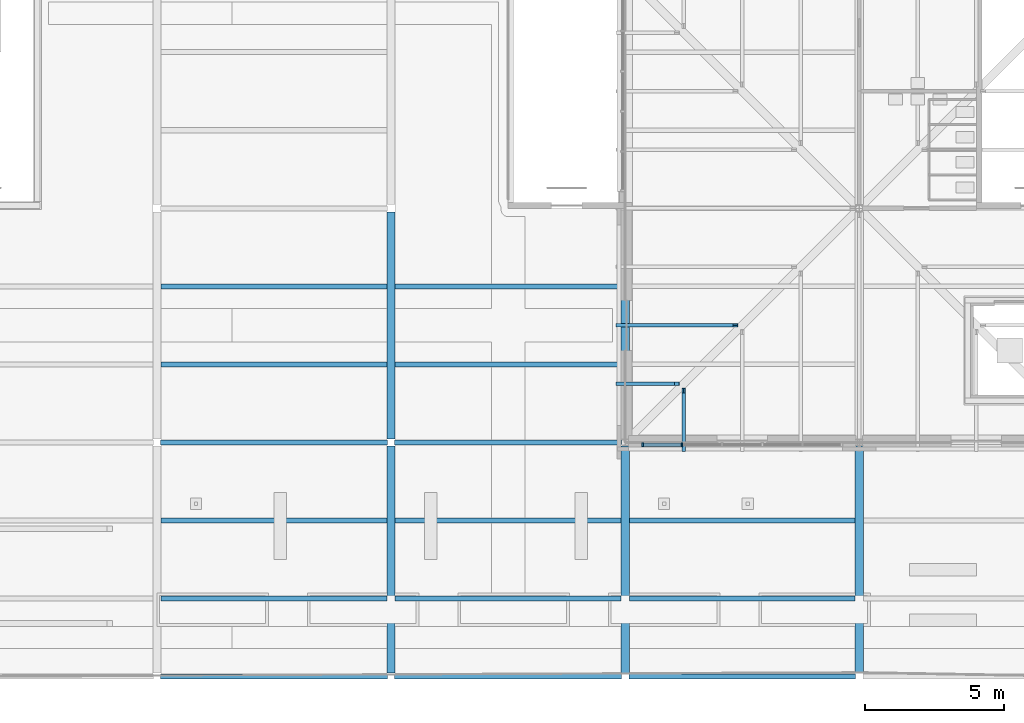
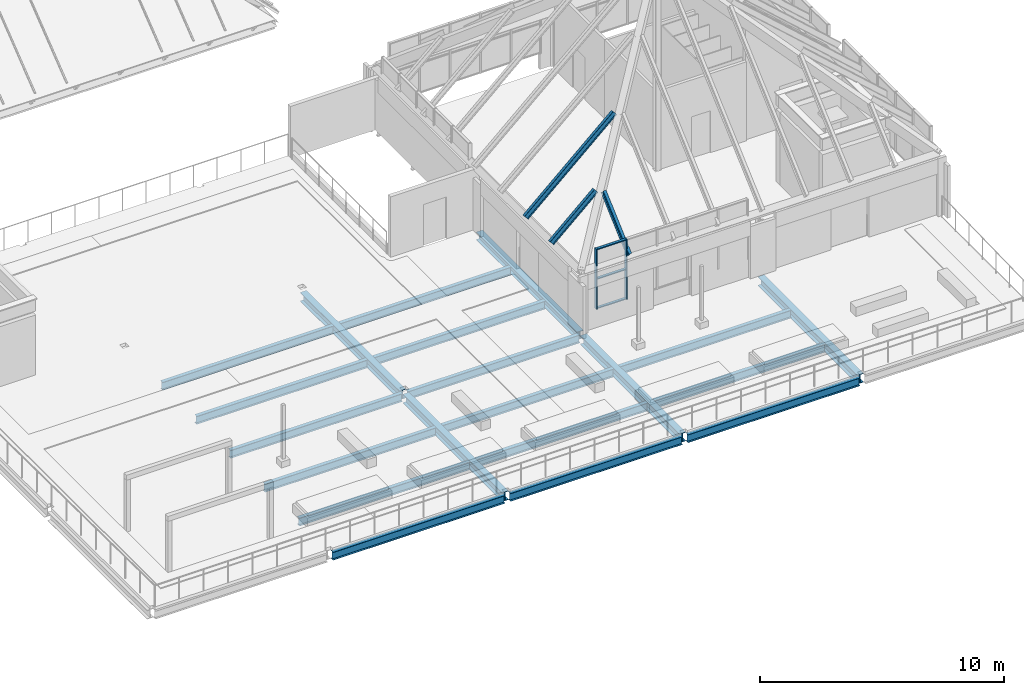
# One storey, part 34 of 126: 20 beams, 8 members, 1 element without a shape of its own.
"""IFC4 building model written with IfcOpenShell, lengths in metres."""

import ifcopenshell
import ifcopenshell.guid

model = None  # the IFC model being written
_history = None  # IfcOwnerHistory: only IFC2X3 demands one
_inside = {}  # id of a spatial element -> (the spatial element, [elements in it])
_under = {}  # id of a project, library or spatial element -> (it, [spatial elements below it])
_declared = {}  # id of a project -> (the project, [libraries it declares])
_typed = {}  # id of a type object -> (the type object, [elements of that type])
_made_of = {}  # id of a material, layer set ... -> (it, [elements and type objects made of it])


def new_model(schema):
    """Start an empty IFC model of exactly this schema.

    Asked for "IFC4X3", IfcOpenShell would pick the latest addendum, in which some entities
    have other attributes; the version numbers below select the first issue.
    IFC2X3 requires an IfcOwnerHistory on every rooted entity: one is made here for all.
    """
    global model, _history
    if schema == "IFC4X3":
        model = ifcopenshell.file(schema_version=(4, 3, 0, 0))
    else:
        model = ifcopenshell.file(schema=schema)
    _inside.clear()
    _under.clear()
    _declared.clear()
    _typed.clear()
    _made_of.clear()
    _history = None
    if model.schema == "IFC2X3":
        org = make("IfcOrganization", Name="unknown")
        user = make(
            "IfcPersonAndOrganization",
            ThePerson=make("IfcPerson", FamilyName="unknown"),
            TheOrganization=org,
        )
        app = make(
            "IfcApplication",
            ApplicationDeveloper=org,
            Version="unknown",
            ApplicationFullName="unknown",
            ApplicationIdentifier="unknown",
        )
        _history = make(
            "IfcOwnerHistory",
            OwningUser=user,
            OwningApplication=app,
            ChangeAction="ADDED",
            CreationDate=0,
        )
    return model


def make(cls, **values):
    """One entity of the class cls with the attributes given. An attribute that is None is left unset."""
    return model.create_entity(
        cls, **{name: value for name, value in values.items() if value is not None}
    )


def rooted(cls, **values):
    """An entity with a GlobalId (a new one), such as an element, a storey or a relation."""
    return make(cls, GlobalId=ifcopenshell.guid.new(), OwnerHistory=_history, **values)


def si_unit(unit_type, name, prefix=None):
    """IfcSIUnit, for example si_unit("LENGTHUNIT", "METRE", prefix="MILLI")."""
    return make("IfcSIUnit", UnitType=unit_type, Prefix=prefix, Name=name)


def assignment(units):
    """IfcUnitAssignment: the units of a project."""
    return None if units is None else make("IfcUnitAssignment", Units=units)


def point(xyz):
    """IfcCartesianPoint."""
    return None if xyz is None else make("IfcCartesianPoint", Coordinates=xyz)


def direction(xyz):
    """IfcDirection."""
    return None if xyz is None else make("IfcDirection", DirectionRatios=xyz)


def frame(location, z_axis=None, x_axis=None):
    """IfcAxis2Placement3D, a coordinate frame: its origin and axes. An axis left out is left unset."""
    return make(
        "IfcAxis2Placement3D",
        Location=point(location),
        Axis=direction(z_axis),
        RefDirection=direction(x_axis),
    )


def frame_2d(location, x_axis=None):
    """IfcAxis2Placement2D, a coordinate frame in the plane: its origin and x axis."""
    return make(
        "IfcAxis2Placement2D", Location=point(location), RefDirection=direction(x_axis)
    )


def origin():
    """The frame at (0, 0, 0) with its axes left unset."""
    return frame((0.0, 0.0, 0.0))


def origin_2d():
    """The frame at (0, 0) in the plane with its x axis left unset."""
    return frame_2d((0.0, 0.0))


def place(relative_to, where):
    """IfcLocalPlacement: puts the frame where relative to a parent placement (None: the world)."""
    return make(
        "IfcLocalPlacement", PlacementRelTo=relative_to, RelativePlacement=where
    )


def context(
    kind, dimensions, precision=None, world=None, true_north=None, identifier=None
):
    """IfcGeometricRepresentationContext, for example the 3D "Model" context."""
    return make(
        "IfcGeometricRepresentationContext",
        ContextIdentifier=identifier,
        ContextType=kind,
        CoordinateSpaceDimension=dimensions,
        Precision=precision,
        WorldCoordinateSystem=world,
        TrueNorth=true_north,
    )


def subcontext(parent, identifier, kind, view, scale=None):
    """IfcGeometricRepresentationSubContext, for example "Body" below "Model"."""
    return make(
        "IfcGeometricRepresentationSubContext",
        ContextIdentifier=identifier,
        ContextType=kind,
        ParentContext=parent,
        TargetScale=scale,
        TargetView=view,
    )


def project(units=None, contexts=None):
    """IfcProject with its units and contexts."""
    return rooted(
        "IfcProject",
        Name="project",
        RepresentationContexts=contexts,
        UnitsInContext=assignment(units),
    )


def spatial(cls, under=None, at=None, **own):
    """A site, building, storey or space (cls), placed at a placement, below another one or the project."""
    s = rooted(cls, ObjectPlacement=at, **own)
    if under is not None:
        _under.setdefault(under.id(), (under, []))[1].append(s)
    return s


def profile(cls, at=None, kind="AREA", **sizes):
    """A parametric profile (cls). Its sizes go by their IFC names, for example OverallWidth=200.0."""
    return make(cls, ProfileType=kind, Position=at, **sizes)


def rectangle(**sizes):
    """IfcRectangleProfileDef."""
    return profile("IfcRectangleProfileDef", **sizes)


def i_section(**sizes):
    """IfcIShapeProfileDef."""
    return profile("IfcIShapeProfileDef", **sizes)


def extrude(swept, where, along, depth):
    """IfcExtrudedAreaSolid: the profile swept, set in the frame where, extruded along a direction by depth."""
    return make(
        "IfcExtrudedAreaSolid",
        SweptArea=swept,
        Position=where,
        ExtrudedDirection=direction(along),
        Depth=depth,
    )


def shape(context_of_items, identifier, shape_type, items):
    """IfcShapeRepresentation: the items that make up one representation, for example the "Body"."""
    return make(
        "IfcShapeRepresentation",
        ContextOfItems=context_of_items,
        RepresentationIdentifier=identifier,
        RepresentationType=shape_type,
        Items=items,
    )


def material(Name=None, Category=None):
    """IfcMaterial."""
    return make("IfcMaterial", Name=Name, Category=Category)


def material_profile(
    of_material, cross_section, Name=None, Category=None, Priority=None
):
    """IfcMaterialProfile: a cross section and its material."""
    return make(
        "IfcMaterialProfile",
        Name=Name,
        Material=of_material,
        Profile=cross_section,
        Priority=Priority,
        Category=Category,
    )


def profile_set(profiles, Name=None, composite=None):
    """IfcMaterialProfileSet."""
    return make(
        "IfcMaterialProfileSet",
        Name=Name,
        MaterialProfiles=profiles,
        CompositeProfile=composite,
    )


def made_of(thing, what):
    """Note that an element or type object is made of a material, layer set ...; save() writes the relation."""
    if what is not None:
        _made_of.setdefault(what.id(), (what, []))[1].append(thing)
    return thing


def type_object(cls, material=None, **own):
    """A type object (cls), such as IfcWallType, which elements share."""
    return made_of(rooted(cls, **own), material)


def element(
    cls,
    number,
    at=None,
    inside=None,
    cuts=None,
    type_object=None,
    material=None,
    context=None,
    identifier="Body",
    shape_type=None,
    held_by="IfcProductDefinitionShape",
    body=None,
    shapes=None,
    **own,
):
    """One element of the class cls, such as IfcWall. Its Tag is "e" and its number.

    at: its placement. inside: the storey or other place that contains it. cuts: it is an
    opening in that element (IfcRelVoidsElement). A single representation is given by context,
    identifier, shape_type and body (its items); several are given by shapes. held_by: the class
    of the entity that holds the representations. save() writes the other relations.
    """
    e = rooted(cls, Tag="e%d" % number, ObjectPlacement=at, **own)
    if body is not None:
        shapes = [shape(context, identifier, shape_type, body)]
    if shapes is not None:
        e.Representation = make(held_by, Representations=shapes)
    if inside is not None:
        _inside.setdefault(inside.id(), (inside, []))[1].append(e)
    if cuts is not None:
        rooted(
            "IfcRelVoidsElement", RelatingBuildingElement=cuts, RelatedOpeningElement=e
        )
    if type_object is not None:
        _typed.setdefault(type_object.id(), (type_object, []))[1].append(e)
    return made_of(e, material)


def aggregate(whole, parts):
    """IfcRelAggregates: a whole, such as a stair, and the parts it consists of."""
    return rooted("IfcRelAggregates", RelatingObject=whole, RelatedObjects=parts)


def save(model, path):
    """Write the relations noted so far, then the file.

    IfcRelAggregates (storeys below a building ...), IfcRelContainedInSpatialStructure (elements
    in a storey), IfcRelDefinesByType, IfcRelAssociatesMaterial and IfcRelDeclares: one each for
    every whole, place, type object, material and project.
    """
    for whole, parts in _under.values():
        aggregate(whole, parts)
    for where, things in _inside.values():
        rooted(
            "IfcRelContainedInSpatialStructure",
            RelatedElements=things,
            RelatingStructure=where,
        )
    for kind, things in _typed.values():
        rooted("IfcRelDefinesByType", RelatedObjects=things, RelatingType=kind)
    for what, things in _made_of.values():
        rooted("IfcRelAssociatesMaterial", RelatedObjects=things, RelatingMaterial=what)
    for by, libraries in _declared.values():
        rooted("IfcRelDeclares", RelatingContext=by, RelatedDefinitions=libraries)
    model.write(path)


model = new_model("IFC4")

# Units and contexts
model_context = context("Model", 3, precision=1e-05, world=origin(), true_north=direction((0.0, 1.0)))
body_context = subcontext(model_context, "Body", "Model", "MODEL_VIEW")
ifc_project = project(units=[si_unit("LENGTHUNIT", "METRE"), si_unit("AREAUNIT", "SQUARE_METRE"), si_unit("VOLUMEUNIT", "CUBIC_METRE"), si_unit("PLANEANGLEUNIT", "RADIAN"), si_unit("MASSUNIT", "GRAM", prefix="KILO")], contexts=[model_context])

# Site, building, storey
site_placement = place(None, origin())
site = spatial("IfcSite", under=ifc_project, at=site_placement, CompositionType="ELEMENT")
building_placement = place(site_placement, origin())
building = spatial("IfcBuilding", under=site, at=building_placement, Name="Sava Quay Ferry Terminal", CompositionType="ELEMENT")
storey_placement = place(building_placement, frame((0.0, 0.0, 15.0)))
storey = spatial("IfcBuildingStorey", under=building, at=storey_placement, Name="L03", CompositionType="ELEMENT", Elevation=15.0)

# Beams
ifc_material_1 = material(Name="Steel S355", Category="steel")
ifc_material_profile_1 = material_profile(ifc_material_1, i_section(OverallWidth=0.179931640625, OverallDepth=0.39990234375, WebThickness=0.008544921875, FlangeThickness=0.013427734375, at=origin_2d()), Name="IPE 400")
ifc_profile_set_1 = profile_set([ifc_material_profile_1], Name="Steel S355")
beam_type_1 = type_object("IfcBeamType", Name="Beam IPE 400", PredefinedType="BEAM", material=ifc_profile_set_1)
beam_1_placement = place(storey_placement, frame((92.530029296875, 25.199951171875, -0.35009765625), z_axis=(1.0, 0.0, 0.0), x_axis=(0.0, 1.0, 0.0)))
element("IfcBeam", 1, at=beam_1_placement, inside=storey, type_object=beam_type_1, Name="Beam L03", PredefinedType="BEAM", context=body_context, shape_type="SweptSolid", body=[
    extrude(i_section(OverallWidth=0.179931640625, OverallDepth=0.39990234375, WebThickness=0.008544921875, FlangeThickness=0.013427734375, at=origin_2d()), origin(), (0.0, 0.0, 1.0), 8.139892578125),
])
beam_2_placement = place(storey_placement, frame((100.929931640625, 25.199951171875, -0.35009765625), z_axis=(1.0, 0.0, 0.0), x_axis=(0.0, 1.0, 0.0)))
element("IfcBeam", 2, at=beam_2_placement, inside=storey, type_object=beam_type_1, Name="Beam L03", PredefinedType="BEAM", context=body_context, shape_type="SweptSolid", body=[
    extrude(i_section(OverallWidth=0.179931640625, OverallDepth=0.39990234375, WebThickness=0.008544921875, FlangeThickness=0.013427734375, at=origin_2d()), origin(), (0.0, 0.0, 1.0), 8.14013671875),
])
for number, where, z_axis, x_axis, name in (
    (3, (109.330078125, 25.199951171875, -0.35009765625), (1.0, 0.0, 0.0), (0.0, 1.0, 0.0), "Beam L03"),
    (4, (92.530029296875, 33.60009765625, -0.35009765625), (1.0, 0.0, 0.0), (0.0, 1.0, 0.0), "Beam L03"),
):
    element("IfcBeam", number, at=place(storey_placement, frame(where, z_axis=z_axis, x_axis=x_axis)), inside=storey, type_object=beam_type_1, Name=name, PredefinedType="BEAM", context=body_context, shape_type="SweptSolid", body=[
        extrude(i_section(OverallWidth=0.179931640625, OverallDepth=0.39990234375, WebThickness=0.008544921875, FlangeThickness=0.013427734375, at=origin_2d()), origin(), (0.0, 0.0, 1.0), 8.139892578125),
    ])
beam_3_placement = place(storey_placement, frame((100.929931640625, 33.60009765625, -0.35009765625), z_axis=(1.0, 0.0, 0.0), x_axis=(0.0, 1.0, 0.0)))
element("IfcBeam", 5, at=beam_3_placement, inside=storey, type_object=beam_type_1, Name="Beam L03", PredefinedType="BEAM", context=body_context, shape_type="SweptSolid", body=[
    extrude(i_section(OverallWidth=0.179931640625, OverallDepth=0.39990234375, WebThickness=0.008544921875, FlangeThickness=0.013427734375, at=origin_2d()), origin(), (0.0, 0.0, 1.0), 8.14013671875),
])
for number, where, z_axis, x_axis, name in (
    (6, (92.550048828125, 28.0, -0.35009765625), (1.0, 0.0, 0.0), (0.0, 1.0, 0.0), "Secondary beam L03"),
    (7, (92.550048828125, 30.800048828125, -0.35009765625), (1.0, 0.0, 0.0), (0.0, 1.0, 0.0), "Secondary beam L03"),
):
    element("IfcBeam", number, at=place(storey_placement, frame(where, z_axis=z_axis, x_axis=x_axis)), inside=storey, type_object=beam_type_1, Name=name, PredefinedType="BEAM", context=body_context, shape_type="SweptSolid", body=[
        extrude(i_section(OverallWidth=0.179931640625, OverallDepth=0.39990234375, WebThickness=0.008544921875, FlangeThickness=0.013427734375, at=origin_2d()), origin(), (0.0, 0.0, 1.0), 8.099853515625),
    ])
for number, where, z_axis, x_axis, name in (
    (8, (100.949951171875, 28.0, -0.35009765625), (1.0, 0.0, 0.0), (0.0, 1.0, 0.0), "Secondary beam L03"),
    (9, (100.949951171875, 30.800048828125, -0.35009765625), (1.0, 0.0, 0.0), (0.0, 1.0, 0.0), "Secondary beam L03"),
):
    element("IfcBeam", number, at=place(storey_placement, frame(where, z_axis=z_axis, x_axis=x_axis)), inside=storey, type_object=beam_type_1, Name=name, PredefinedType="BEAM", context=body_context, shape_type="SweptSolid", body=[
        extrude(i_section(OverallWidth=0.179931640625, OverallDepth=0.39990234375, WebThickness=0.008544921875, FlangeThickness=0.013427734375, at=origin_2d()), origin(), (0.0, 0.0, 1.0), 8.10009765625),
    ])
for number, where, z_axis, x_axis, name in (
    (10, (109.35009765625, 28.0, -0.35009765625), (1.0, 0.0, 0.0), (0.0, 1.0, 0.0), "Secondary beam L03"),
    (11, (109.35009765625, 30.800048828125, -0.35009765625), (1.0, 0.0, 0.0), (0.0, 1.0, 0.0), "Secondary beam L03"),
    (12, (92.550048828125, 36.39990234375, -0.35009765625), (1.0, 0.0, 0.0), (0.0, 1.0, 0.0), "Secondary beam L03"),
    (13, (92.550048828125, 39.199951171875, -0.35009765625), (1.0, 0.0, 0.0), (0.0, 1.0, 0.0), "Secondary beam L03"),
):
    element("IfcBeam", number, at=place(storey_placement, frame(where, z_axis=z_axis, x_axis=x_axis)), inside=storey, type_object=beam_type_1, Name=name, PredefinedType="BEAM", context=body_context, shape_type="SweptSolid", body=[
        extrude(i_section(OverallWidth=0.179931640625, OverallDepth=0.39990234375, WebThickness=0.008544921875, FlangeThickness=0.013427734375, at=origin_2d()), origin(), (0.0, 0.0, 1.0), 8.099853515625),
    ])
for number, where, z_axis, x_axis, name in (
    (14, (100.949951171875, 36.39990234375, -0.35009765625), (1.0, 0.0, 0.0), (0.0, 1.0, 0.0), "Secondary beam L03"),
    (15, (100.949951171875, 39.199951171875, -0.35009765625), (1.0, 0.0, 0.0), (0.0, 1.0, 0.0), "Secondary beam L03"),
):
    element("IfcBeam", number, at=place(storey_placement, frame(where, z_axis=z_axis, x_axis=x_axis)), inside=storey, type_object=beam_type_1, Name=name, PredefinedType="BEAM", context=body_context, shape_type="SweptSolid", body=[
        extrude(i_section(OverallWidth=0.179931640625, OverallDepth=0.39990234375, WebThickness=0.008544921875, FlangeThickness=0.013427734375, at=origin_2d()), origin(), (0.0, 0.0, 1.0), 8.10009765625),
    ])
ifc_material_2 = material(Name="Steel S355", Category="steel")
ifc_material_profile_2 = material_profile(ifc_material_2, i_section(OverallWidth=0.300048828125, OverallDepth=0.389892578125, WebThickness=0.010986328125, FlangeThickness=0.01904296875, at=origin_2d()), Name="HE 400 A")
ifc_profile_set_2 = profile_set([ifc_material_profile_2], Name="Steel S355")
beam_type_2 = type_object("IfcBeamType", Name="Girder HE 400 A", PredefinedType="BEAM", material=ifc_profile_set_2)
beam_4_placement = place(storey_placement, frame((109.199951171875, 33.72998046875, -0.344970703125), z_axis=(0.0, 1.0, 0.0), x_axis=(-1.0, 0.0, 0.0)))
element("IfcBeam", 16, at=beam_4_placement, inside=storey, type_object=beam_type_2, Name="Girder L03", PredefinedType="BEAM", context=body_context, shape_type="SweptSolid", body=[
    extrude(i_section(OverallWidth=0.300048828125, OverallDepth=0.389892578125, WebThickness=0.010986328125, FlangeThickness=0.01904296875, at=origin_2d()), origin(), (0.0, 0.0, 1.0), 8.27001953125),
])
ifc_material_3 = material(Name="Steel S355", Category="steel")
ifc_material_profile_3 = material_profile(ifc_material_3, i_section(OverallWidth=0.300048828125, OverallDepth=0.449951171875, WebThickness=0.013916015625, FlangeThickness=0.02587890625, at=origin_2d()), Name="HE 450 B")
ifc_profile_set_3 = profile_set([ifc_material_profile_3], Name="Steel S355")
beam_type_3 = type_object("IfcBeamType", Name="Girder HE 450 B", PredefinedType="BEAM", material=ifc_profile_set_3)
beam_5_placement = place(storey_placement, frame((100.800048828125, 25.330078125, -0.375), z_axis=(0.0, 1.0, 0.0), x_axis=(-1.0, 0.0, 0.0)))
element("IfcBeam", 17, at=beam_5_placement, inside=storey, type_object=beam_type_3, Name="Girder L03", PredefinedType="BEAM", context=body_context, shape_type="SweptSolid", body=[
    extrude(i_section(OverallWidth=0.300048828125, OverallDepth=0.449951171875, WebThickness=0.013916015625, FlangeThickness=0.02587890625, at=origin_2d()), origin(), (0.0, 0.0, 1.0), 8.139892578125),
])
beam_6_placement = place(storey_placement, frame((100.800048828125, 33.72998046875, -0.375), z_axis=(0.0, 1.0, 0.0), x_axis=(-1.0, 0.0, 0.0)))
element("IfcBeam", 18, at=beam_6_placement, inside=storey, type_object=beam_type_3, Name="Girder L03", PredefinedType="BEAM", context=body_context, shape_type="SweptSolid", body=[
    extrude(i_section(OverallWidth=0.300048828125, OverallDepth=0.449951171875, WebThickness=0.013916015625, FlangeThickness=0.02587890625, at=origin_2d()), origin(), (0.0, 0.0, 1.0), 8.14013671875),
])
for number, where, z_axis, x_axis, name in (
    (19, (109.199951171875, 25.330078125, -0.375), (0.0, 1.0, 0.0), (-1.0, 0.0, 0.0), "Girder L03"),
    (20, (117.60009765625, 25.330078125, -0.375), (0.0, 1.0, 0.0), (-1.0, 0.0, 0.0), "Girder L03"),
):
    element("IfcBeam", number, at=place(storey_placement, frame(where, z_axis=z_axis, x_axis=x_axis)), inside=storey, type_object=beam_type_3, Name=name, PredefinedType="BEAM", context=body_context, shape_type="SweptSolid", body=[
        extrude(i_section(OverallWidth=0.300048828125, OverallDepth=0.449951171875, WebThickness=0.013916015625, FlangeThickness=0.02587890625, at=origin_2d()), origin(), (0.0, 0.0, 1.0), 8.139892578125),
    ])

# Curtain wall, members
ifc_material_4 = material(Name="Aluminium and glass curtain wall, double low-e glazed", Category="aluminium")
curtain_wall_type = type_object("IfcCurtainWallType", Name="Curtain wall CW-F flank", PredefinedType="NOTDEFINED", material=ifc_material_4)
curtain_wall_placement = place(storey_placement, origin())
curtain_wall = element("IfcCurtainWall", 21, at=curtain_wall_placement, inside=storey, type_object=curtain_wall_type, Name="Curtain wall P-PAV-S L03 bay 1", PredefinedType="NOTDEFINED")
ifc_material_5 = material(Name="Aluminium EN AW-6063 T6", Category="aluminium")
ifc_material_profile_4 = material_profile(ifc_material_5, rectangle(XDim=0.14990234375, YDim=0.06005859375, at=origin_2d()), Name="Mullion 60x150 aluminium")
ifc_profile_set_4 = profile_set([ifc_material_profile_4], Name="Aluminium EN AW-6063 T6")
member_type_1 = type_object("IfcMemberType", Name="Mullion 60x150 aluminium", PredefinedType="MULLION", material=ifc_profile_set_4)
member_1_placement = place(storey_placement, frame((109.830078125, 33.514892578125, 0.89990234375), z_axis=(0.0, 0.0, 1.0), x_axis=(0.0, 1.0, 0.0)))
member_1 = element("IfcMember", 22, at=member_1_placement, type_object=member_type_1, Name="CW117 mullion 1", PredefinedType="MULLION", context=body_context, shape_type="SweptSolid", body=[
    extrude(rectangle(XDim=0.14990234375, YDim=0.06005859375, at=origin_2d()), origin(), (0.0, 0.0, 1.0), 3.0),
])
member_2_placement = place(storey_placement, frame((111.239990234375, 33.514892578125, 0.89990234375), z_axis=(0.0, 0.0, 1.0), x_axis=(0.0, 1.0, 0.0)))
member_2 = element("IfcMember", 23, at=member_2_placement, type_object=member_type_1, Name="CW117 mullion 2", PredefinedType="MULLION", context=body_context, shape_type="SweptSolid", body=[
    extrude(rectangle(XDim=0.14990234375, YDim=0.06005859375, at=origin_2d()), origin(), (0.0, 0.0, 1.0), 3.0),
])

# Members
ifc_material_6 = material(Name="Steel S355", Category="steel")
ifc_material_profile_5 = material_profile(ifc_material_6, i_section(OverallWidth=0.135009765625, OverallDepth=0.27001953125, WebThickness=0.006591796875, FlangeThickness=0.01025390625, at=origin_2d()), Name="IPE 270")
ifc_profile_set_5 = profile_set([ifc_material_profile_5], Name="Steel S355")
member_type_2 = type_object("IfcMemberType", Name="Roof rafter IPE 270", PredefinedType="RAFTER", material=ifc_profile_set_5)
member_3_placement = place(storey_placement, frame((111.300048828125, 33.356689453125, 3.170166015625), z_axis=(0.0, 0.743156664694, 0.669117457342), x_axis=(-1.0, 0.0, 0.0)))
element("IfcMember", 24, at=member_3_placement, inside=storey, type_object=member_type_2, Name="East pavilion rafter RA1", PredefinedType="RAFTER", context=body_context, shape_type="SweptSolid", body=[
    extrude(i_section(OverallWidth=0.135009765625, OverallDepth=0.27001953125, WebThickness=0.006591796875, FlangeThickness=0.01025390625, at=origin_2d()), origin(), (0.0, 0.0, 1.0), 2.825927734375),
])
member_4_placement = place(storey_placement, frame((108.956787109375, 37.800048828125, 3.170166015625), z_axis=(0.743137323799, 0.0, 0.669138937723), x_axis=(0.0, 1.0, 0.0)))
element("IfcMember", 25, at=member_4_placement, inside=storey, type_object=member_type_2, Name="East pavilion rafter RA27", PredefinedType="RAFTER", context=body_context, shape_type="SweptSolid", body=[
    extrude(i_section(OverallWidth=0.135009765625, OverallDepth=0.27001953125, WebThickness=0.006591796875, FlangeThickness=0.01025390625, at=origin_2d()), origin(), (0.0, 0.0, 1.0), 5.651611328125),
])
member_5_placement = place(storey_placement, frame((108.956787109375, 35.699951171875, 3.170166015625), z_axis=(0.743156664694, 0.0, 0.669117457342), x_axis=(0.0, 1.0, 0.0)))
element("IfcMember", 26, at=member_5_placement, inside=storey, type_object=member_type_2, Name="East pavilion rafter RA28", PredefinedType="RAFTER", context=body_context, shape_type="SweptSolid", body=[
    extrude(i_section(OverallWidth=0.135009765625, OverallDepth=0.27001953125, WebThickness=0.006591796875, FlangeThickness=0.01025390625, at=origin_2d()), origin(), (0.0, 0.0, 1.0), 2.825927734375),
])

# Member
ifc_material_7 = material(Name="Aluminium EN AW-6063 T6", Category="aluminium")
ifc_material_profile_6 = material_profile(ifc_material_7, rectangle(XDim=0.1201171875, YDim=0.050048828125, at=origin_2d()), Name="Transom 50x120 aluminium")
ifc_profile_set_6 = profile_set([ifc_material_profile_6], Name="Aluminium EN AW-6063 T6")
member_type_3 = type_object("IfcMemberType", Name="Transom 50x120 aluminium", PredefinedType="USERDEFINED", material=ifc_profile_set_6)
member_6_placement = place(storey_placement, frame((109.860107421875, 33.514892578125, 0.925048828125), z_axis=(1.0, 0.0, 0.0), x_axis=(0.0, 1.0, 0.0)))
member_6 = element("IfcMember", 27, at=member_6_placement, type_object=member_type_3, Name="CW117 transom 1.1", ObjectType="TRANSOM", PredefinedType="USERDEFINED", context=body_context, shape_type="SweptSolid", body=[
    extrude(rectangle(XDim=0.1201171875, YDim=0.050048828125, at=origin_2d()), origin(), (0.0, 0.0, 1.0), 1.349853515625),
])

member_7_placement = place(storey_placement, frame((109.860107421875, 33.514892578125, 2.39990234375), z_axis=(1.0, 0.0, 0.0), x_axis=(0.0, 1.0, 0.0)))
member_7 = element("IfcMember", 28, at=member_7_placement, type_object=member_type_3, Name="CW117 transom 1.2", ObjectType="TRANSOM", PredefinedType="USERDEFINED", context=body_context, shape_type="SweptSolid", body=[
    extrude(rectangle(XDim=0.1201171875, YDim=0.050048828125, at=origin_2d()), origin(), (0.0, 0.0, 1.0), 1.349853515625),
])

member_8_placement = place(storey_placement, frame((109.860107421875, 33.514892578125, 3.875), z_axis=(1.0, 0.0, 0.0), x_axis=(0.0, 1.0, 0.0)))
member_8 = element("IfcMember", 29, at=member_8_placement, type_object=member_type_3, Name="CW117 transom 1.3", ObjectType="TRANSOM", PredefinedType="USERDEFINED", context=body_context, shape_type="SweptSolid", body=[
    extrude(rectangle(XDim=0.1201171875, YDim=0.050048828125, at=origin_2d()), origin(), (0.0, 0.0, 1.0), 1.349853515625),
])

aggregate(curtain_wall, [member_1, member_2, member_6, member_7, member_8])

save(model, "model.ifc")
